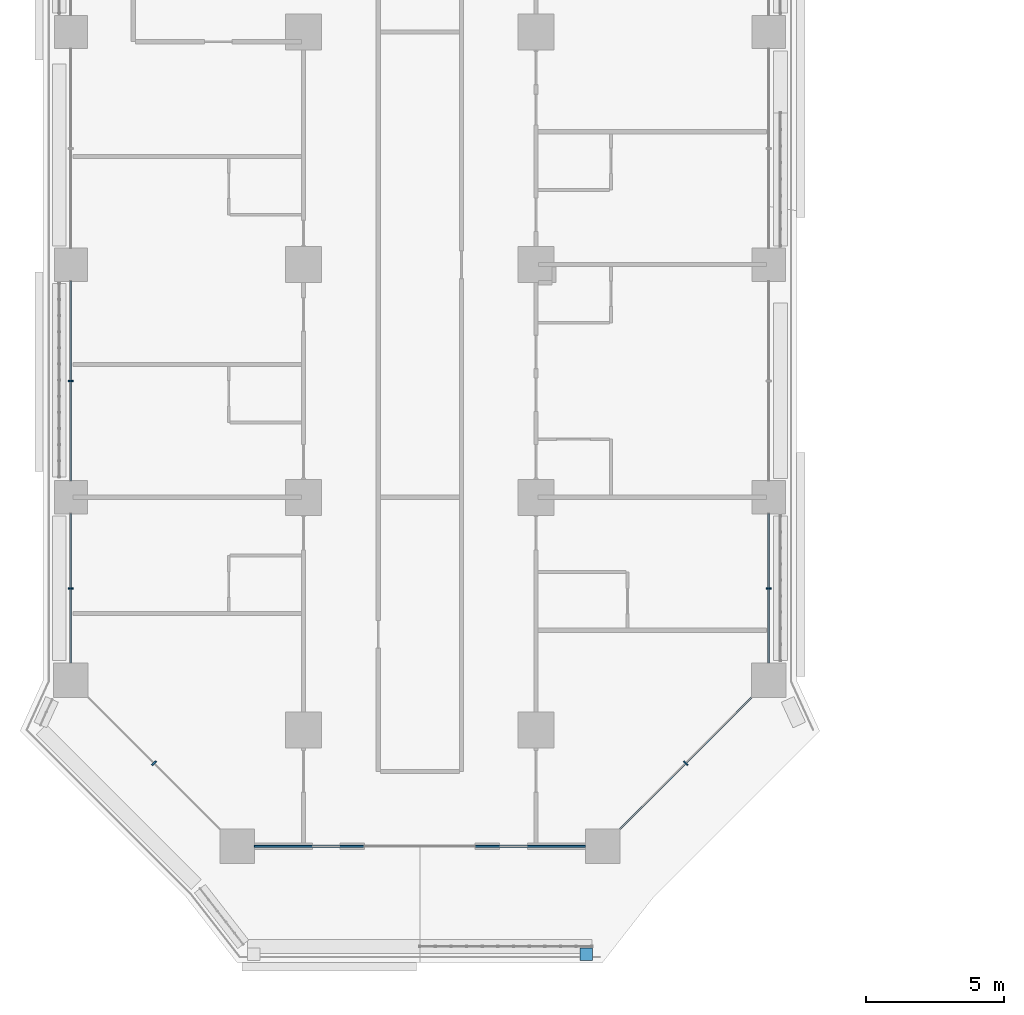
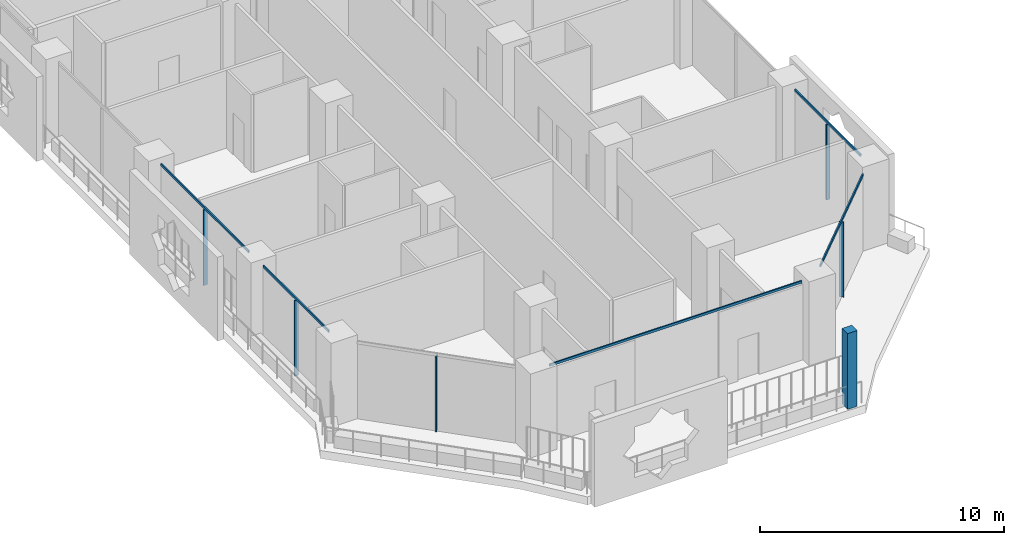
# One storey, part 2 of 28: 11 members, 6 elements without a shape of their own.
"""IFC4 building model written with IfcOpenShell, lengths in metres."""

from ifc_helpers import new_model, si_unit, direction, frame, origin, origin_2d, place, context, subcontext, project, spatial, rectangle, extrude, material, layer, layer_set, material_profile, profile_set, type_object, element, aggregate, save


model = new_model("IFC4")

# Units and contexts
model_context = context("Model", 3, precision=1e-05, world=origin(), true_north=direction((0.0, 1.0)))
body_context = subcontext(model_context, "Body", "Model", "MODEL_VIEW")
ifc_project = project(units=[si_unit("LENGTHUNIT", "METRE"), si_unit("AREAUNIT", "SQUARE_METRE"), si_unit("VOLUMEUNIT", "CUBIC_METRE"), si_unit("PLANEANGLEUNIT", "RADIAN"), si_unit("MASSUNIT", "GRAM", prefix="KILO")], contexts=[model_context])

# Site, building, storey
site_placement = place(None, origin())
site = spatial("IfcSite", under=ifc_project, at=site_placement, CompositionType="ELEMENT")
building_placement = place(site_placement, origin())
building = spatial("IfcBuilding", under=site, at=building_placement, Name="Kawkab Arch Medical Tower", CompositionType="ELEMENT")
storey_placement = place(building_placement, frame((0.0, 0.0, 68.60009765625)))
storey = spatial("IfcBuildingStorey", under=building, at=storey_placement, Name="L15", CompositionType="ELEMENT", Elevation=68.60009765625)

# Curtain wall, members
ifc_material_1 = material(Name="Bronze anodised aluminium curtain wall frame", Category="aluminium")
ifc_layer_1 = layer(ifc_material_1, 0.159912109375)
ifc_layer_set_1 = layer_set([ifc_layer_1], Name="Bronze anodised aluminium curtain wall frame")
curtain_wall_type_1 = type_object("IfcCurtainWallType", Name="CW1 ward curtain wall", PredefinedType="NOTDEFINED", material=ifc_layer_set_1)
placement = place(storey_placement, origin())
curtain_wall_1 = element("IfcCurtainWall", 1, at=placement, inside=storey, type_object=curtain_wall_type_1, Name="CW1 Ward curtain wall R01", PredefinedType="NOTDEFINED")
ifc_material_2 = material(Name="Bronze anodised aluminium curtain wall frame", Category="aluminium")
ifc_material_profile_1 = material_profile(ifc_material_2, rectangle(XDim=0.179931640625, YDim=0.06005859375, at=origin_2d()), Name="AL 60x180")
ifc_profile_set_1 = profile_set([ifc_material_profile_1], Name="Bronze anodised aluminium curtain wall frame")
member_type_1 = type_object("IfcMemberType", Name="CW1 mullion 60 x 180", PredefinedType="MULLION", material=ifc_profile_set_1)
member_1_placement = place(storey_placement, frame((0.0, -54.60009765625, 0.0), z_axis=(0.0, 0.0, 1.0), x_axis=(1.0, 0.0, 0.0)))
member_1 = element("IfcMember", 2, at=member_1_placement, type_object=member_type_1, Name="CW1 mullion 6.1", PredefinedType="MULLION", context=body_context, shape_type="SweptSolid", body=[
    extrude(rectangle(XDim=0.179931640625, YDim=0.06005859375, at=origin_2d()), origin(), (0.0, 0.0, 1.0), 3.77978515625),
])
member_2_placement = place(storey_placement, frame((0.0, -62.08740234375, 0.0), z_axis=(0.0, 0.0, 1.0), x_axis=(1.0, 0.0, 0.0)))
member_2 = element("IfcMember", 3, at=member_2_placement, type_object=member_type_1, Name="CW1 mullion 7.1", PredefinedType="MULLION", context=body_context, shape_type="SweptSolid", body=[
    extrude(rectangle(XDim=0.179931640625, YDim=0.06005859375, at=origin_2d()), origin(), (0.0, 0.0, 1.0), 3.77978515625),
])

# Curtain wall, member
curtain_wall_2 = element("IfcCurtainWall", 4, at=placement, inside=storey, type_object=curtain_wall_type_1, Name="CW1 Ward curtain wall R05", PredefinedType="NOTDEFINED")
member_3_placement = place(storey_placement, frame((25.199951171875, -62.08740234375, 0.0), z_axis=(0.0, 0.0, 1.0), x_axis=(-1.0, 0.0, 0.0)))
member_3 = element("IfcMember", 5, at=member_3_placement, type_object=member_type_1, Name="CW1 mullion 1.1", PredefinedType="MULLION", context=body_context, shape_type="SweptSolid", body=[
    extrude(rectangle(XDim=0.179931640625, YDim=0.06005859375, at=origin_2d()), origin(), (0.0, 0.0, 1.0), 3.77978515625),
])

# Member
ifc_material_3 = material(Name="Bronze anodised aluminium curtain wall frame", Category="aluminium")
ifc_material_profile_2 = material_profile(ifc_material_3, rectangle(XDim=0.06005859375, YDim=0.1201171875, at=origin_2d()), Name="AL 60x120")
ifc_profile_set_2 = profile_set([ifc_material_profile_2], Name="Bronze anodised aluminium curtain wall frame")
member_type_2 = type_object("IfcMemberType", Name="CW1 transom 120 x 60", PredefinedType="USERDEFINED", material=ifc_profile_set_2)
member_4_placement = place(storey_placement, frame((0.0, -51.0, 3.83984375), z_axis=(0.0, -1.0, 0.0), x_axis=(1.0, 0.0, 0.0)))
member_4 = element("IfcMember", 6, at=member_4_placement, type_object=member_type_2, Name="CW1 transom 6", ObjectType="TRANSOM", PredefinedType="USERDEFINED", context=body_context, shape_type="SweptSolid", body=[
    extrude(rectangle(XDim=0.06005859375, YDim=0.1201171875, at=origin_2d()), origin(), (0.0, 0.0, 1.0), 7.199951171875),
])

member_5_placement = place(storey_placement, frame((0.0, -59.39990234375, 3.83984375), z_axis=(0.0, -1.0, 0.0), x_axis=(1.0, 0.0, 0.0)))
member_5 = element("IfcMember", 7, at=member_5_placement, type_object=member_type_2, Name="CW1 transom 7", ObjectType="TRANSOM", PredefinedType="USERDEFINED", context=body_context, shape_type="SweptSolid", body=[
    extrude(rectangle(XDim=0.06005859375, YDim=0.1201171875, at=origin_2d()), origin(), (0.0, 0.0, 1.0), 5.375),
])

aggregate(curtain_wall_1, [member_4, member_1, member_5, member_2])

# Curtain wall, member
curtain_wall_3 = element("IfcCurtainWall", 8, at=placement, inside=storey, type_object=curtain_wall_type_1, Name="CW1 Ward curtain wall R03", PredefinedType="NOTDEFINED")
member_6_placement = place(storey_placement, frame((6.625, -71.39990234375, 3.83984375), z_axis=(1.0, 0.0, 0.0), x_axis=(0.0, 1.0, 0.0)))
member_6 = element("IfcMember", 9, at=member_6_placement, type_object=member_type_2, Name="CW1 transom 1", ObjectType="TRANSOM", PredefinedType="USERDEFINED", context=body_context, shape_type="SweptSolid", body=[
    extrude(rectangle(XDim=0.06005859375, YDim=0.1201171875, at=origin_2d()), origin(), (0.0, 0.0, 1.0), 11.949951171875),
])
aggregate(curtain_wall_3, [member_6])

# Member
member_7_placement = place(storey_placement, frame((25.199951171875, -64.77490234375, 3.83984375), z_axis=(0.0, 1.0, 0.0), x_axis=(-1.0, 0.0, 0.0)))
member_7 = element("IfcMember", 10, at=member_7_placement, type_object=member_type_2, Name="CW1 transom 1", ObjectType="TRANSOM", PredefinedType="USERDEFINED", context=body_context, shape_type="SweptSolid", body=[
    extrude(rectangle(XDim=0.06005859375, YDim=0.1201171875, at=origin_2d()), origin(), (0.0, 0.0, 1.0), 5.375),
])

aggregate(curtain_wall_2, [member_7, member_3])

# Curtain wall, member
ifc_material_4 = material(Name="Bronze anodised aluminium curtain wall frame", Category="aluminium")
ifc_layer_2 = layer(ifc_material_4, 0.159912109375)
ifc_layer_set_2 = layer_set([ifc_layer_2], Name="Bronze anodised aluminium curtain wall frame")
curtain_wall_type_2 = type_object("IfcCurtainWallType", Name="CW2 chamfer curtain wall", PredefinedType="NOTDEFINED", material=ifc_layer_set_2)
curtain_wall_4 = element("IfcCurtainWall", 11, at=placement, inside=storey, type_object=curtain_wall_type_2, Name="CW2 Chamfer curtain wall R02", PredefinedType="NOTDEFINED")
ifc_material_5 = material(Name="Bronze anodised aluminium curtain wall frame", Category="aluminium")
ifc_material_profile_3 = material_profile(ifc_material_5, rectangle(XDim=0.199951171875, YDim=0.06005859375, at=origin_2d()), Name="AL 60x200")
ifc_profile_set_3 = profile_set([ifc_material_profile_3], Name="Bronze anodised aluminium curtain wall frame")
member_type_3 = type_object("IfcMemberType", Name="CW2 mullion 60 x 200", PredefinedType="MULLION", material=ifc_profile_set_3)
member_8_placement = place(storey_placement, frame((3.0, -68.39990234375, 0.0), z_axis=(0.0, 0.0, 1.0), x_axis=(0.707106781187, 0.707106781187, 0.0)))
member_8 = element("IfcMember", 12, at=member_8_placement, type_object=member_type_3, Name="CW2 mullion 1.1", PredefinedType="MULLION", context=body_context, shape_type="SweptSolid", body=[
    extrude(rectangle(XDim=0.199951171875, YDim=0.06005859375, at=origin_2d()), origin(), (0.0, 0.0, 1.0), 3.760009765625),
])
aggregate(curtain_wall_4, [member_8])

# Curtain wall, members
curtain_wall_5 = element("IfcCurtainWall", 13, at=placement, inside=storey, type_object=curtain_wall_type_2, Name="CW2 Chamfer curtain wall R04", PredefinedType="NOTDEFINED")
member_9_placement = place(storey_placement, frame((22.199951171875, -68.39990234375, 0.0), z_axis=(0.0, 0.0, 1.0), x_axis=(-0.707106781187, 0.707106781187, 0.0)))
member_9 = element("IfcMember", 14, at=member_9_placement, type_object=member_type_3, Name="CW2 mullion 1.1", PredefinedType="MULLION", context=body_context, shape_type="SweptSolid", body=[
    extrude(rectangle(XDim=0.199951171875, YDim=0.06005859375, at=origin_2d()), origin(), (0.0, 0.0, 1.0), 3.760009765625),
])
ifc_material_6 = material(Name="Bronze anodised aluminium curtain wall frame", Category="aluminium")
ifc_material_profile_4 = material_profile(ifc_material_6, rectangle(XDim=0.06005859375, YDim=0.139892578125, at=origin_2d()), Name="AL 60x140")
ifc_profile_set_4 = profile_set([ifc_material_profile_4], Name="Bronze anodised aluminium curtain wall frame")
member_type_4 = type_object("IfcMemberType", Name="CW2 transom 140 x 60", PredefinedType="USERDEFINED", material=ifc_profile_set_4)
member_10_placement = place(storey_placement, frame((19.824951171875, -70.77490234375, 3.829833984375), z_axis=(0.707106781187, 0.707106781187, 0.0), x_axis=(-0.707106781187, 0.707106781187, 0.0)))
member_10 = element("IfcMember", 15, at=member_10_placement, type_object=member_type_4, Name="CW2 transom 1", ObjectType="TRANSOM", PredefinedType="USERDEFINED", context=body_context, shape_type="SweptSolid", body=[
    extrude(rectangle(XDim=0.06005859375, YDim=0.139892578125, at=origin_2d()), origin(), (0.0, 0.0, 1.0), 6.717529296875),
])
aggregate(curtain_wall_5, [member_10, member_9])

# Curtain wall, member
ifc_material_7 = material(Name="Bronze anodised aluminium climber frame, planted", Category="aluminium")
ifc_layer_3 = layer(ifc_material_7, 0.449951171875)
ifc_layer_set_3 = layer_set([ifc_layer_3], Name="Bronze anodised aluminium climber frame, planted")
curtain_wall_type_3 = type_object("IfcCurtainWallType", Name="Planted climber frame", PredefinedType="NOTDEFINED", material=ifc_layer_set_3)
curtain_wall_6 = element("IfcCurtainWall", 16, at=placement, inside=storey, type_object=curtain_wall_type_3, Name="Planted climber frame L15", PredefinedType="NOTDEFINED")
ifc_material_8 = material(Name="Bronze anodised aluminium climber frame, planted", Category="aluminium")
ifc_material_profile_5 = material_profile(ifc_material_8, rectangle(XDim=0.449951171875, YDim=0.449951171875, at=origin_2d()), Name="Post 450x450")
ifc_profile_set_5 = profile_set([ifc_material_profile_5], Name="Bronze anodised aluminium climber frame, planted")
member_type_5 = type_object("IfcMemberType", Name="Planted climber post 450 x 450", PredefinedType="MULLION", material=ifc_profile_set_5)
member_11_placement = place(storey_placement, frame((18.60302734375, -75.300048828125, 0.0), z_axis=(0.0, 0.0, 1.0), x_axis=(1.0, 0.0, 0.0)))
member_11 = element("IfcMember", 17, at=member_11_placement, type_object=member_type_5, Name="Planted climber post L15.LOG-01-01.1", PredefinedType="MULLION", context=body_context, shape_type="SweptSolid", body=[
    extrude(rectangle(XDim=0.449951171875, YDim=0.449951171875, at=origin_2d()), origin(), (0.0, 0.0, 1.0), 3.7998046875),
])
aggregate(curtain_wall_6, [member_11])

save(model, "model.ifc")
